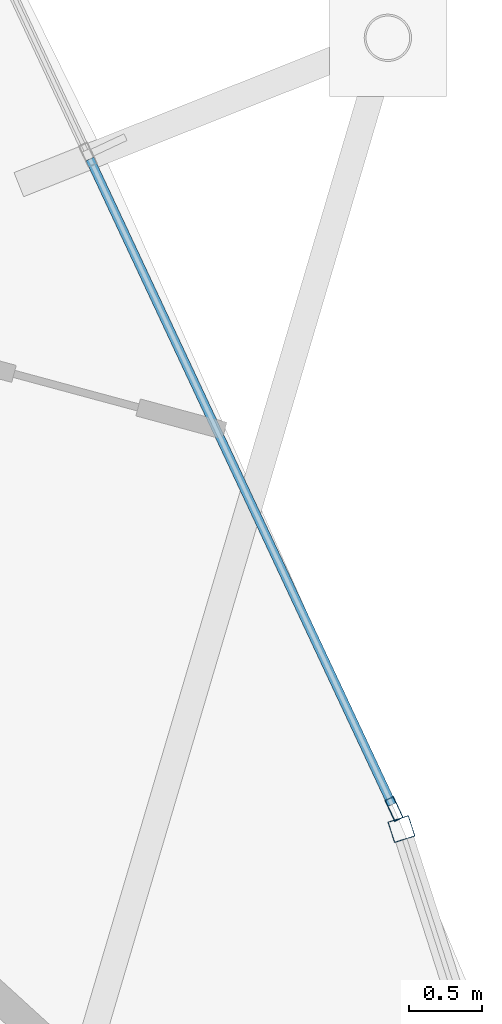
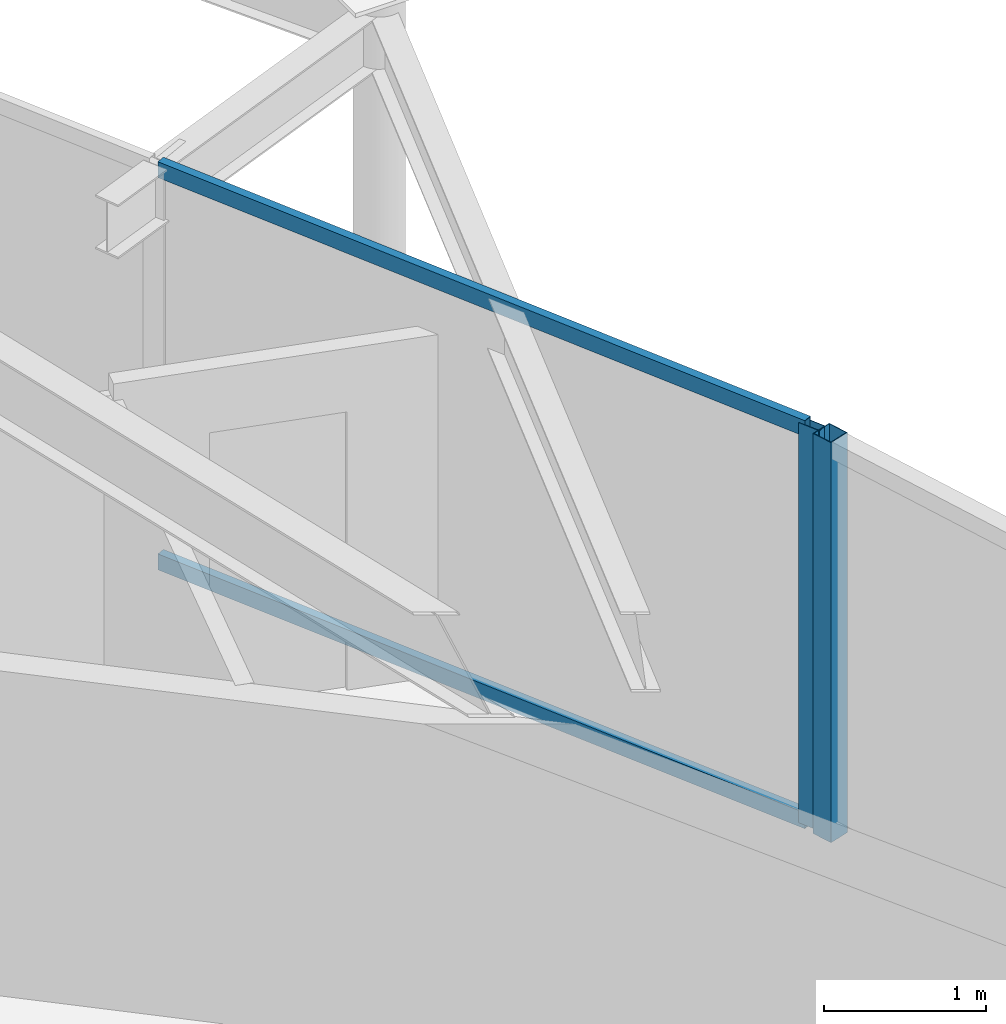
# One storey, part 17 of 30: 4 members, 2 elements without a shape of their own.
"""IFC4 building model written with IfcOpenShell, lengths in metres."""

from ifc_helpers import new_model, si_unit, direction, frame, origin, origin_2d, place, context, subcontext, project, spatial, hollow_rectangle, extrude, material, layer, layer_set, material_profile, profile_set, type_object, element, aggregate, save


model = new_model("IFC4")

# Units and contexts
model_context = context("Model", 3, precision=1e-05, world=origin(), true_north=direction((0.0, 1.0)))
body_context = subcontext(model_context, "Body", "Model", "MODEL_VIEW")
ifc_project = project(units=[si_unit("LENGTHUNIT", "METRE"), si_unit("AREAUNIT", "SQUARE_METRE"), si_unit("VOLUMEUNIT", "CUBIC_METRE"), si_unit("PLANEANGLEUNIT", "RADIAN"), si_unit("MASSUNIT", "GRAM", prefix="KILO")], contexts=[model_context])

# Site, building, storey
site_placement = place(None, origin())
site = spatial("IfcSite", under=ifc_project, at=site_placement, CompositionType="ELEMENT")
building_placement = place(site_placement, origin())
building = spatial("IfcBuilding", under=site, at=building_placement, Name="Orvanel Arch Residences", CompositionType="ELEMENT")
storey_placement = place(building_placement, frame((0.0, 0.0, 232.699951171875)))
storey = spatial("IfcBuildingStorey", under=building, at=storey_placement, Name="L66", CompositionType="ELEMENT", Elevation=232.699951171875)

# Curtain wall, member
ifc_material = material(Name="Bronze-anodised aluminium AA6063-T6", Category="aluminium")
ifc_layer_1 = layer(ifc_material, 0.18994140625)
ifc_layer_set_1 = layer_set([ifc_layer_1], Name="Bronze-anodised aluminium AA6063-T6")
curtain_wall_type_1 = type_object("IfcCurtainWallType", Name="CW5-CRN-SYS", PredefinedType="NOTDEFINED", material=ifc_layer_set_1)
curtain_wall_1_placement = place(storey_placement, origin())
curtain_wall_1 = element("IfcCurtainWall", 1, at=curtain_wall_1_placement, inside=storey, type_object=curtain_wall_type_1, Name="L66 CW5-CRN-SYS Unitised Curtain Wall", PredefinedType="NOTDEFINED")
ifc_material_profile_1 = material_profile(ifc_material, hollow_rectangle(XDim=0.14990234375, YDim=0.14990234375, WallThickness=0.0048828125, at=origin_2d()), Name="ALU150x150x5")
ifc_profile_set_1 = profile_set([ifc_material_profile_1], Name="Bronze-anodised aluminium AA6063-T6")
member_type_1 = type_object("IfcMemberType", Name="MUL-150x150", PredefinedType="MULLION", material=ifc_profile_set_1)
member_1_placement = place(storey_placement, frame((53.86083984375, 15.169677734375, 0.0), z_axis=(0.0, 0.0, 1.0), x_axis=(-0.952168522204, -0.305573404151, 0.0)))
member_1 = element("IfcMember", 2, at=member_1_placement, type_object=member_type_1, Name="CW-S5 mullion 2", PredefinedType="MULLION", context=body_context, shape_type="SweptSolid", body=[
    extrude(hollow_rectangle(XDim=0.14990234375, YDim=0.14990234375, WallThickness=0.0048828125, at=origin_2d()), origin(), (0.0, 0.0, 1.0), 3.02001953125),
])
aggregate(curtain_wall_1, [member_1])

# Curtain wall, members
ifc_layer_2 = layer(ifc_material, 0.175048828125)
ifc_layer_set_2 = layer_set([ifc_layer_2], Name="Bronze-anodised aluminium AA6063-T6")
curtain_wall_type_2 = type_object("IfcCurtainWallType", Name="CW4-HI-SYS", PredefinedType="NOTDEFINED", material=ifc_layer_set_2)
curtain_wall_2_placement = place(storey_placement, origin())
curtain_wall_2 = element("IfcCurtainWall", 3, at=curtain_wall_2_placement, inside=storey, type_object=curtain_wall_type_2, Name="L66 CW4-HI-SYS Unitised Curtain Wall", PredefinedType="NOTDEFINED")
ifc_material_profile_2 = material_profile(ifc_material, hollow_rectangle(XDim=0.06494140625, YDim=0.159912109375, WallThickness=0.00390625, at=origin_2d()), Name="ALU160x65x4")
ifc_profile_set_2 = profile_set([ifc_material_profile_2], Name="Bronze-anodised aluminium AA6063-T6")
member_type_2 = type_object("IfcMemberType", Name="MUL-160x65", PredefinedType="MULLION", material=ifc_profile_set_2)
member_2_placement = place(storey_placement, frame((53.810302734375, 15.307373046875, 0.0), z_axis=(0.0, 0.0, 1.0), x_axis=(-0.905705004304, -0.423908533978, 0.0)))
member_2 = element("IfcMember", 4, at=member_2_placement, type_object=member_type_2, Name="CW-S4 mullion 1", PredefinedType="MULLION", context=body_context, shape_type="SweptSolid", body=[
    extrude(hollow_rectangle(XDim=0.06494140625, YDim=0.159912109375, WallThickness=0.00390625, at=origin_2d()), origin(), (0.0, 0.0, 1.0), 3.02001953125),
])
ifc_material_profile_3 = material_profile(ifc_material, hollow_rectangle(XDim=0.06005859375, YDim=0.1201171875, WallThickness=0.00341796875, at=origin_2d()), Name="ALU120x60x3.5")
ifc_profile_set_3 = profile_set([ifc_material_profile_3], Name="Bronze-anodised aluminium AA6063-T6")
member_type_3 = type_object("IfcMemberType", Name="TRN-120x60", PredefinedType="USERDEFINED", material=ifc_profile_set_3)
member_3_placement = place(storey_placement, frame((53.79638671875, 15.3369140625, 0.030029296875), z_axis=(-0.423899048381, 0.905709443907, 0.0), x_axis=(-0.905709443907, -0.423899048381, 0.0)))
member_3 = element("IfcMember", 5, at=member_3_placement, type_object=member_type_3, Name="CW-S4 transom 1.1", ObjectType="TRANSOM", PredefinedType="USERDEFINED", context=body_context, shape_type="SweptSolid", body=[
    extrude(hollow_rectangle(XDim=0.06005859375, YDim=0.1201171875, WallThickness=0.00341796875, at=origin_2d()), origin(), (0.0, 0.0, 1.0), 4.877685546875),
])
member_4_placement = place(storey_placement, frame((53.79638671875, 15.3369140625, 2.989990234375), z_axis=(-0.423899048381, 0.905709443907, 0.0), x_axis=(-0.905709443907, -0.423899048381, 0.0)))
member_4 = element("IfcMember", 6, at=member_4_placement, type_object=member_type_3, Name="CW-S4 transom 1.2", ObjectType="TRANSOM", PredefinedType="USERDEFINED", context=body_context, shape_type="SweptSolid", body=[
    extrude(hollow_rectangle(XDim=0.06005859375, YDim=0.1201171875, WallThickness=0.00341796875, at=origin_2d()), origin(), (0.0, 0.0, 1.0), 4.877685546875),
])
aggregate(curtain_wall_2, [member_2, member_3, member_4])

save(model, "model.ifc")
